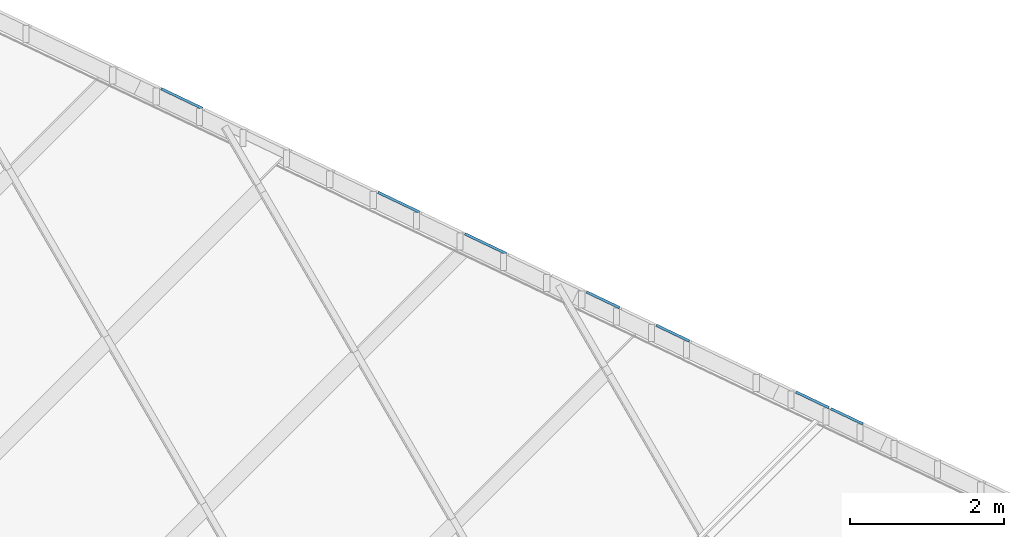
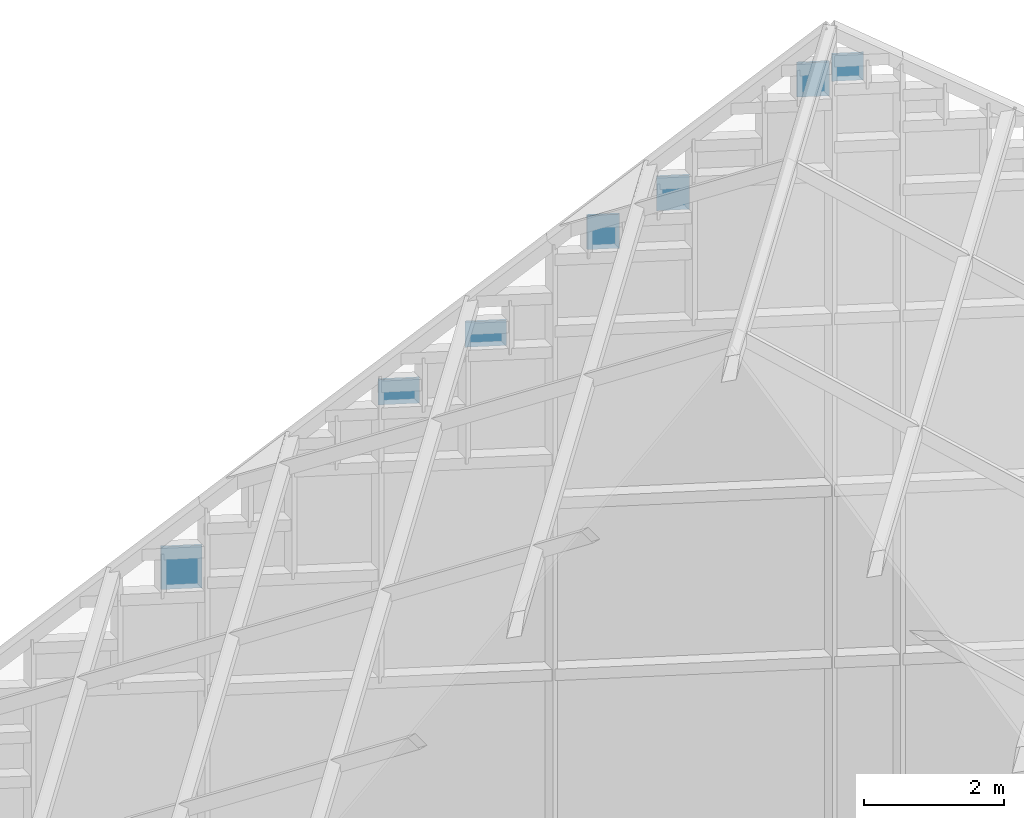
# One storey, part 25 of 29: 7 plates, 1 element without a shape of its own.
"""IFC4 building model written with IfcOpenShell, lengths in metres."""

from ifc_helpers import new_model, si_unit, direction, frame, origin, place, context, subcontext, project, spatial, polyline, outline, extrude, material, layer, layer_set, type_object, element, aggregate, save


model = new_model("IFC4")

# Units and contexts
model_context = context("Model", 3, precision=1e-05, world=origin(), true_north=direction((0.0, 1.0)))
body_context = subcontext(model_context, "Body", "Model", "MODEL_VIEW")
ifc_project = project(units=[si_unit("LENGTHUNIT", "METRE"), si_unit("AREAUNIT", "SQUARE_METRE"), si_unit("VOLUMEUNIT", "CUBIC_METRE"), si_unit("PLANEANGLEUNIT", "RADIAN"), si_unit("MASSUNIT", "GRAM", prefix="KILO")], contexts=[model_context])

# Site, building, storey
site_placement = place(None, origin())
site = spatial("IfcSite", under=ifc_project, at=site_placement, CompositionType="ELEMENT")
building_placement = place(site_placement, origin())
building = spatial("IfcBuilding", under=site, at=building_placement, Name="Tanit Gate Tower", CompositionType="ELEMENT")
storey_placement = place(building_placement, frame((0.0, 0.0, 445.300048828125)))
storey = spatial("IfcBuildingStorey", under=building, at=storey_placement, Name="ROOF", CompositionType="ELEMENT", Elevation=445.300048828125)

# Curtain wall, plates
ifc_material_1 = material(Name="Aluminium bronze anodised and glass", Category="aluminium")
curtain_wall_type = type_object("IfcCurtainWallType", Name="Curtain wall crown roof", PredefinedType="NOTDEFINED", material=ifc_material_1)
curtain_wall_placement = place(storey_placement, origin())
curtain_wall = element("IfcCurtainWall", 1, at=curtain_wall_placement, inside=storey, type_object=curtain_wall_type, Name="Crown lantern", PredefinedType="NOTDEFINED")
ifc_material_2 = material(Name="Glass tinted laminated safety", Category="glass")
ifc_layer = layer(ifc_material_2, 0.033935546875)
ifc_layer_set = layer_set([ifc_layer], Name="Glass panel 34 crown roof")
plate_type = type_object("IfcPlateType", Name="Glass panel 34 crown roof", PredefinedType="CURTAIN_PANEL", material=ifc_layer_set)
plate_1_placement = place(storey_placement, frame((11.411865234375, 10.84326171875, 26.21484375), z_axis=(0.430965941611, 0.902368193794, 0.0), x_axis=(-0.902368193794, 0.430965941611, 0.0)))
plate_1 = element("IfcPlate", 2, at=plate_1_placement, type_object=plate_type, Name="Lantern clerestory glass 4.9.2", PredefinedType="CURTAIN_PANEL", context=body_context, shape_type="SweptSolid", body=[
    extrude(outline(polyline([(0.0, 0.0), (0.45886202865718123, 0.0), (0.45886202865718123, 0.47021484375), (0.0, 0.47021484375), (0.0, 0.0)])), origin(), (0.0, 0.0, -1.0), 0.033935546875),
])
plate_2_placement = place(storey_placement, frame((9.159912109375, 11.9189453125, 24.08984375), z_axis=(0.430997738016, 0.902353007323, 0.0), x_axis=(-0.902353007323, 0.430997738016, 0.0)))
plate_2 = element("IfcPlate", 3, at=plate_2_placement, type_object=plate_type, Name="Lantern clerestory glass 5.8.4", PredefinedType="CURTAIN_PANEL", context=body_context, shape_type="SweptSolid", body=[
    extrude(outline(polyline([(0.0, 0.0), (0.471856630990933, 0.0), (0.471856630990933, 0.59521484375), (0.0, 0.59521484375), (0.0, 0.0)])), origin(), (0.0, 0.0, -1.0), 0.033935546875),
])
plate_3_placement = place(storey_placement, frame((8.25439453125, 12.3515625, 23.46484375), z_axis=(0.430997738016, 0.902353007323, 0.0), x_axis=(-0.902353007323, 0.430997738016, 0.0)))
plate_3 = element("IfcPlate", 4, at=plate_3_placement, type_object=plate_type, Name="Lantern clerestory glass 5.8.5", PredefinedType="CURTAIN_PANEL", context=body_context, shape_type="SweptSolid", body=[
    extrude(outline(polyline([(0.0, 0.0), (0.471856630990933, 0.0), (0.471856630990933, 0.59521484375), (0.0, 0.59521484375), (0.0, 0.0)])), origin(), (0.0, 0.0, -1.0), 0.033935546875),
])
plate_4_placement = place(storey_placement, frame((10.970703125, 11.053955078125, 25.96484375), z_axis=(0.431199046051, 0.902256827452, 0.0), x_axis=(-0.902256827452, 0.431199046051, 0.0)))
plate_4 = element("IfcPlate", 5, at=plate_4_placement, type_object=plate_type, Name="Lantern clerestory glass 5.8.8", PredefinedType="CURTAIN_PANEL", context=body_context, shape_type="SweptSolid", body=[
    extrude(outline(polyline([(0.0, 0.0), (0.4716363417017202, 0.0), (0.4716363417017202, 0.5952148437500001), (0.0, 0.5952148437500001), (0.0, 0.0)])), origin(), (0.0, 0.0, -1.0), 0.033935546875),
])
plate_5_placement = place(storey_placement, frame((5.659912109375, 13.591064453125, 20.91455078125), z_axis=(0.431193670556, 0.902259396445, 0.0), x_axis=(-0.902259396445, 0.431193670556, 0.0)))
plate_5 = element("IfcPlate", 6, at=plate_5_placement, type_object=plate_type, Name="Lantern clerestory glass 6.6.9", PredefinedType="CURTAIN_PANEL", context=body_context, shape_type="SweptSolid", body=[
    extrude(outline(polyline([(0.0, 0.0), (0.5939408045920368, 0.0), (0.5939408045920368, 0.43994140624999994), (0.0, 0.43994140624999994), (0.0, 0.0)])), origin(), (0.0, 0.0, -1.0), 0.033935546875),
])
plate_6_placement = place(storey_placement, frame((6.785888671875, 13.05322265625, 21.8544921875), z_axis=(0.430858955566, 0.902419281935, 0.0), x_axis=(-0.902419281935, 0.430858955566, 0.0)))
plate_6 = element("IfcPlate", 7, at=plate_6_placement, type_object=plate_type, Name="Lantern clerestory glass 6.6.11", PredefinedType="CURTAIN_PANEL", context=body_context, shape_type="SweptSolid", body=[
    extrude(outline(polyline([(0.0, 0.0), (0.5938355735549548, 0.0), (0.5938355735549548, 0.43994140625), (0.0, 0.43994140625), (0.0, 0.0)])), origin(), (0.0, 0.0, -1.0), 0.033935546875),
])
plate_7_placement = place(storey_placement, frame((2.844970703125, 14.935791015625, 17.858154296875), z_axis=(0.431193670556, 0.902259396445, 0.0), x_axis=(-0.902259396445, 0.431193670556, 0.0)))
plate_7 = element("IfcPlate", 8, at=plate_7_placement, type_object=plate_type, Name="Lantern clerestory glass 7.5.8", PredefinedType="CURTAIN_PANEL", context=body_context, shape_type="SweptSolid", body=[
    extrude(outline(polyline([(0.0, 0.0), (0.5939408045920368, 0.0), (0.5939408045920368, 0.743896484375), (0.0, 0.743896484375), (0.0, 0.0)])), origin(), (0.0, 0.0, -1.0), 0.033935546875),
])
aggregate(curtain_wall, [plate_1, plate_2, plate_3, plate_4, plate_5, plate_6, plate_7])

save(model, "model.ifc")
